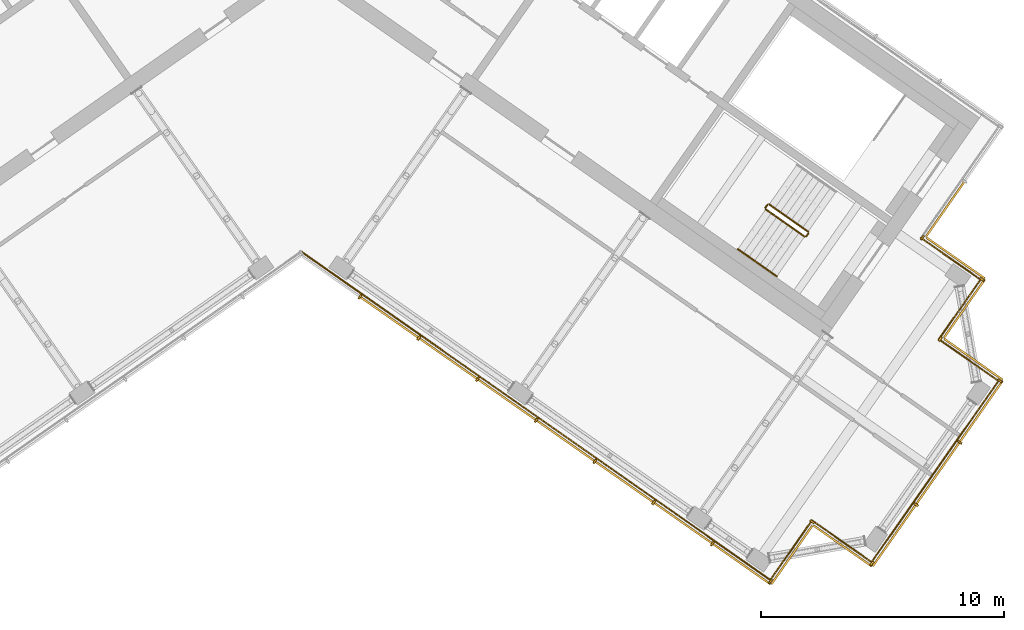
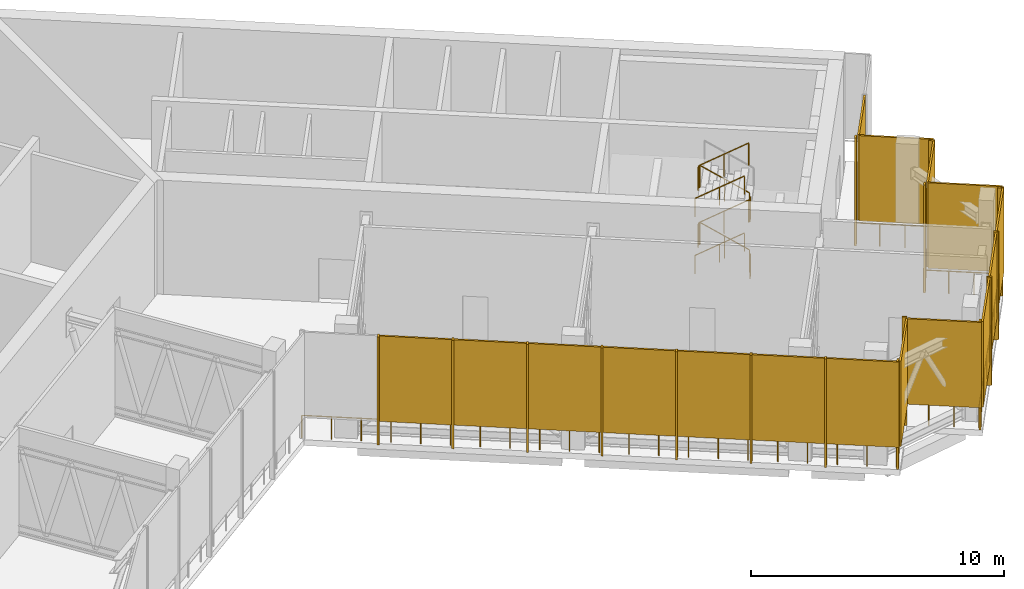
# One storey, part 14 of 16: 32 shading devices, 17 railings.
"""IFC4 building model written with IfcOpenShell, lengths in metres."""

import ifcopenshell
import ifcopenshell.guid

model = None  # the IFC model being written
_history = None  # IfcOwnerHistory: only IFC2X3 demands one
_inside = {}  # id of a spatial element -> (the spatial element, [elements in it])
_under = {}  # id of a project, library or spatial element -> (it, [spatial elements below it])
_declared = {}  # id of a project -> (the project, [libraries it declares])
_typed = {}  # id of a type object -> (the type object, [elements of that type])
_made_of = {}  # id of a material, layer set ... -> (it, [elements and type objects made of it])


def new_model(schema):
    """Start an empty IFC model of exactly this schema.

    Asked for "IFC4X3", IfcOpenShell would pick the latest addendum, in which some entities
    have other attributes; the version numbers below select the first issue.
    IFC2X3 requires an IfcOwnerHistory on every rooted entity: one is made here for all.
    """
    global model, _history
    if schema == "IFC4X3":
        model = ifcopenshell.file(schema_version=(4, 3, 0, 0))
    else:
        model = ifcopenshell.file(schema=schema)
    _inside.clear()
    _under.clear()
    _declared.clear()
    _typed.clear()
    _made_of.clear()
    _history = None
    if model.schema == "IFC2X3":
        org = make("IfcOrganization", Name="unknown")
        user = make(
            "IfcPersonAndOrganization",
            ThePerson=make("IfcPerson", FamilyName="unknown"),
            TheOrganization=org,
        )
        app = make(
            "IfcApplication",
            ApplicationDeveloper=org,
            Version="unknown",
            ApplicationFullName="unknown",
            ApplicationIdentifier="unknown",
        )
        _history = make(
            "IfcOwnerHistory",
            OwningUser=user,
            OwningApplication=app,
            ChangeAction="ADDED",
            CreationDate=0,
        )
    return model


def make(cls, **values):
    """One entity of the class cls with the attributes given. An attribute that is None is left unset."""
    return model.create_entity(
        cls, **{name: value for name, value in values.items() if value is not None}
    )


def rooted(cls, **values):
    """An entity with a GlobalId (a new one), such as an element, a storey or a relation."""
    return make(cls, GlobalId=ifcopenshell.guid.new(), OwnerHistory=_history, **values)


def si_unit(unit_type, name, prefix=None):
    """IfcSIUnit, for example si_unit("LENGTHUNIT", "METRE", prefix="MILLI")."""
    return make("IfcSIUnit", UnitType=unit_type, Prefix=prefix, Name=name)


def assignment(units):
    """IfcUnitAssignment: the units of a project."""
    return None if units is None else make("IfcUnitAssignment", Units=units)


def point(xyz):
    """IfcCartesianPoint."""
    return None if xyz is None else make("IfcCartesianPoint", Coordinates=xyz)


def direction(xyz):
    """IfcDirection."""
    return None if xyz is None else make("IfcDirection", DirectionRatios=xyz)


def frame(location, z_axis=None, x_axis=None):
    """IfcAxis2Placement3D, a coordinate frame: its origin and axes. An axis left out is left unset."""
    return make(
        "IfcAxis2Placement3D",
        Location=point(location),
        Axis=direction(z_axis),
        RefDirection=direction(x_axis),
    )


def frame_2d(location, x_axis=None):
    """IfcAxis2Placement2D, a coordinate frame in the plane: its origin and x axis."""
    return make(
        "IfcAxis2Placement2D", Location=point(location), RefDirection=direction(x_axis)
    )


def origin():
    """The frame at (0, 0, 0) with its axes left unset."""
    return frame((0.0, 0.0, 0.0))


def origin_2d():
    """The frame at (0, 0) in the plane with its x axis left unset."""
    return frame_2d((0.0, 0.0))


def place(relative_to, where):
    """IfcLocalPlacement: puts the frame where relative to a parent placement (None: the world)."""
    return make(
        "IfcLocalPlacement", PlacementRelTo=relative_to, RelativePlacement=where
    )


def context(
    kind, dimensions, precision=None, world=None, true_north=None, identifier=None
):
    """IfcGeometricRepresentationContext, for example the 3D "Model" context."""
    return make(
        "IfcGeometricRepresentationContext",
        ContextIdentifier=identifier,
        ContextType=kind,
        CoordinateSpaceDimension=dimensions,
        Precision=precision,
        WorldCoordinateSystem=world,
        TrueNorth=true_north,
    )


def subcontext(parent, identifier, kind, view, scale=None):
    """IfcGeometricRepresentationSubContext, for example "Body" below "Model"."""
    return make(
        "IfcGeometricRepresentationSubContext",
        ContextIdentifier=identifier,
        ContextType=kind,
        ParentContext=parent,
        TargetScale=scale,
        TargetView=view,
    )


def project(units=None, contexts=None):
    """IfcProject with its units and contexts."""
    return rooted(
        "IfcProject",
        Name="project",
        RepresentationContexts=contexts,
        UnitsInContext=assignment(units),
    )


def spatial(cls, under=None, at=None, **own):
    """A site, building, storey or space (cls), placed at a placement, below another one or the project."""
    s = rooted(cls, ObjectPlacement=at, **own)
    if under is not None:
        _under.setdefault(under.id(), (under, []))[1].append(s)
    return s


def profile(cls, at=None, kind="AREA", **sizes):
    """A parametric profile (cls). Its sizes go by their IFC names, for example OverallWidth=200.0."""
    return make(cls, ProfileType=kind, Position=at, **sizes)


def rectangle(**sizes):
    """IfcRectangleProfileDef."""
    return profile("IfcRectangleProfileDef", **sizes)


def circle(**sizes):
    """IfcCircleProfileDef."""
    return profile("IfcCircleProfileDef", **sizes)


def extrude(swept, where, along, depth):
    """IfcExtrudedAreaSolid: the profile swept, set in the frame where, extruded along a direction by depth."""
    return make(
        "IfcExtrudedAreaSolid",
        SweptArea=swept,
        Position=where,
        ExtrudedDirection=direction(along),
        Depth=depth,
    )


def shape(context_of_items, identifier, shape_type, items):
    """IfcShapeRepresentation: the items that make up one representation, for example the "Body"."""
    return make(
        "IfcShapeRepresentation",
        ContextOfItems=context_of_items,
        RepresentationIdentifier=identifier,
        RepresentationType=shape_type,
        Items=items,
    )


def material(Name=None, Category=None):
    """IfcMaterial."""
    return make("IfcMaterial", Name=Name, Category=Category)


def layer(
    of_material, thickness, ventilated=None, Name=None, Category=None, Priority=None
):
    """IfcMaterialLayer: one layer of a wall or slab, of a material (None: an air gap)."""
    return make(
        "IfcMaterialLayer",
        Material=of_material,
        LayerThickness=thickness,
        IsVentilated=ventilated,
        Name=Name,
        Category=Category,
        Priority=Priority,
    )


def layer_set(layers, Name=None):
    """IfcMaterialLayerSet."""
    return make("IfcMaterialLayerSet", MaterialLayers=layers, LayerSetName=Name)


def made_of(thing, what):
    """Note that an element or type object is made of a material, layer set ...; save() writes the relation."""
    if what is not None:
        _made_of.setdefault(what.id(), (what, []))[1].append(thing)
    return thing


def type_object(cls, material=None, **own):
    """A type object (cls), such as IfcWallType, which elements share."""
    return made_of(rooted(cls, **own), material)


def element(
    cls,
    number,
    at=None,
    inside=None,
    cuts=None,
    type_object=None,
    material=None,
    context=None,
    identifier="Body",
    shape_type=None,
    held_by="IfcProductDefinitionShape",
    body=None,
    shapes=None,
    **own,
):
    """One element of the class cls, such as IfcWall. Its Tag is "e" and its number.

    at: its placement. inside: the storey or other place that contains it. cuts: it is an
    opening in that element (IfcRelVoidsElement). A single representation is given by context,
    identifier, shape_type and body (its items); several are given by shapes. held_by: the class
    of the entity that holds the representations. save() writes the other relations.
    """
    e = rooted(cls, Tag="e%d" % number, ObjectPlacement=at, **own)
    if body is not None:
        shapes = [shape(context, identifier, shape_type, body)]
    if shapes is not None:
        e.Representation = make(held_by, Representations=shapes)
    if inside is not None:
        _inside.setdefault(inside.id(), (inside, []))[1].append(e)
    if cuts is not None:
        rooted(
            "IfcRelVoidsElement", RelatingBuildingElement=cuts, RelatedOpeningElement=e
        )
    if type_object is not None:
        _typed.setdefault(type_object.id(), (type_object, []))[1].append(e)
    return made_of(e, material)


def aggregate(whole, parts):
    """IfcRelAggregates: a whole, such as a stair, and the parts it consists of."""
    return rooted("IfcRelAggregates", RelatingObject=whole, RelatedObjects=parts)


def save(model, path):
    """Write the relations noted so far, then the file.

    IfcRelAggregates (storeys below a building ...), IfcRelContainedInSpatialStructure (elements
    in a storey), IfcRelDefinesByType, IfcRelAssociatesMaterial and IfcRelDeclares: one each for
    every whole, place, type object, material and project.
    """
    for whole, parts in _under.values():
        aggregate(whole, parts)
    for where, things in _inside.values():
        rooted(
            "IfcRelContainedInSpatialStructure",
            RelatedElements=things,
            RelatingStructure=where,
        )
    for kind, things in _typed.values():
        rooted("IfcRelDefinesByType", RelatedObjects=things, RelatingType=kind)
    for what, things in _made_of.values():
        rooted("IfcRelAssociatesMaterial", RelatedObjects=things, RelatingMaterial=what)
    for by, libraries in _declared.values():
        rooted("IfcRelDeclares", RelatingContext=by, RelatedDefinitions=libraries)
    model.write(path)


model = new_model("IFC4")

# Units and contexts
model_context = context("Model", 3, precision=1e-05, world=origin(), true_north=direction((0.0, 1.0)))
body_context = subcontext(model_context, "Body", "Model", "MODEL_VIEW")
ifc_project = project(units=[si_unit("LENGTHUNIT", "METRE"), si_unit("AREAUNIT", "SQUARE_METRE"), si_unit("VOLUMEUNIT", "CUBIC_METRE"), si_unit("PLANEANGLEUNIT", "RADIAN"), si_unit("MASSUNIT", "GRAM", prefix="KILO")], contexts=[model_context])

# Site, building, storey
site_placement = place(None, origin())
site = spatial("IfcSite", under=ifc_project, at=site_placement, CompositionType="ELEMENT")
building_placement = place(site_placement, origin())
building = spatial("IfcBuilding", under=site, at=building_placement, Name="Tel Ilan Convention Tower", CompositionType="ELEMENT")
storey_placement = place(building_placement, frame((0.0, 0.0, 313.300048828125)))
storey = spatial("IfcBuildingStorey", under=building, at=storey_placement, Name="L74", CompositionType="ELEMENT", Elevation=313.300048828125)

# Shading devices
ifc_material_1 = material(Name="Perforated aluminium sheet, bronze anodised", Category="aluminium")
ifc_layer_1 = layer(ifc_material_1, 0.080078125)
ifc_layer_set_1 = layer_set([ifc_layer_1], Name="PERFORATED SCREEN 80")
shading_device_type_1 = type_object("IfcShadingDeviceType", Name="PERFORATED SCREEN 80", PredefinedType="USERDEFINED", material=ifc_layer_set_1)
for number, where, z_axis, x_axis, name in (
    (1, (3.632080078125, -15.361328125, 1.099853515625), (0.0, 0.0, 1.0), (0.819152044289, -0.573576436351, 0.0), "SCREEN"),
    (2, (6.053466796875, -17.056884765625, 1.099853515625), (0.0, 0.0, 1.0), (0.819152044289, -0.573576436351, 0.0), "SCREEN"),
    (3, (8.474853515625, -18.752197265625, 1.099853515625), (0.0, 0.0, 1.0), (0.819152044289, -0.573576436351, 0.0), "SCREEN"),
    (4, (10.896240234375, -20.44775390625, 1.099853515625), (0.0, 0.0, 1.0), (0.819152044289, -0.573576436351, 0.0), "SCREEN"),
    (5, (13.317626953125, -22.143310546875, 1.099853515625), (0.0, 0.0, 1.0), (0.819152044289, -0.573576436351, 0.0), "SCREEN"),
    (6, (15.739013671875, -23.8388671875, 1.099853515625), (0.0, 0.0, 1.0), (0.819152044289, -0.573576436351, 0.0), "SCREEN"),
    (7, (18.160400390625, -25.5341796875, 1.099853515625), (0.0, 0.0, 1.0), (0.819152044289, -0.573576436351, 0.0), "SCREEN"),
):
    element("IfcShadingDevice", number, at=place(storey_placement, frame(where, z_axis=z_axis, x_axis=x_axis)), inside=storey, type_object=shading_device_type_1, Name=name, ObjectType="SCREEN", PredefinedType="USERDEFINED", context=body_context, shape_type="SweptSolid", body=[
        extrude(rectangle(XDim=2.89599609375, YDim=0.080078125, at=origin_2d()), origin(), (0.0, 0.0, 1.0), 4.1201171875),
    ])
for number, where, z_axis, x_axis, name in (
    (8, (20.2314453125, -25.1533203125, 1.099853515625), (0.0, 0.0, 1.0), (0.573576436351, 0.819152044289, 0.0), "SCREEN"),
    (9, (22.320556640625, -24.784912109375, 1.099853515625), (0.0, 0.0, 1.0), (0.819152044289, -0.573576436351, 0.0), "SCREEN"),
):
    element("IfcShadingDevice", number, at=place(storey_placement, frame(where, z_axis=z_axis, x_axis=x_axis)), inside=storey, type_object=shading_device_type_1, Name=name, ObjectType="SCREEN", PredefinedType="USERDEFINED", context=body_context, shape_type="SweptSolid", body=[
        extrude(rectangle(XDim=2.93994140625, YDim=0.080078125, at=origin_2d()), origin(), (0.0, 0.0, 1.0), 4.1201171875),
    ])
for number, where, z_axis, x_axis, name in (
    (10, (24.447998046875, -24.36181640625, 1.099853515625), (0.0, 0.0, 1.0), (0.573576436351, 0.819152044289, 0.0), "SCREEN"),
    (11, (26.2451171875, -21.795166015625, 1.099853515625), (0.0, 0.0, 1.0), (0.573576436351, 0.819152044289, 0.0), "SCREEN"),
    (12, (28.04248046875, -19.228515625, 1.099853515625), (0.0, 0.0, 1.0), (0.573576436351, 0.819152044289, 0.0), "SCREEN"),
):
    element("IfcShadingDevice", number, at=place(storey_placement, frame(where, z_axis=z_axis, x_axis=x_axis)), inside=storey, type_object=shading_device_type_1, Name=name, ObjectType="SCREEN", PredefinedType="USERDEFINED", context=body_context, shape_type="SweptSolid", body=[
        extrude(rectangle(XDim=3.0732421875, YDim=0.080078125, at=origin_2d()), origin(), (0.0, 0.0, 1.0), 4.1201171875),
    ])
for number, where, z_axis, x_axis, name in (
    (13, (27.712158203125, -17.0849609375, 1.099853515625), (0.0, 0.0, 1.0), (-0.819152044289, 0.573576436351, 0.0), "SCREEN"),
    (14, (27.343994140625, -14.995849609375, 1.099853515625), (0.0, 0.0, 1.0), (0.573576436351, 0.819152044289, 0.0), "SCREEN"),
    (15, (26.9755859375, -12.90673828125, 1.099853515625), (0.0, 0.0, 1.0), (-0.819152044289, 0.573576436351, 0.0), "SCREEN"),
):
    element("IfcShadingDevice", number, at=place(storey_placement, frame(where, z_axis=z_axis, x_axis=x_axis)), inside=storey, type_object=shading_device_type_1, Name=name, ObjectType="SCREEN", PredefinedType="USERDEFINED", context=body_context, shape_type="SweptSolid", body=[
        extrude(rectangle(XDim=2.93994140625, YDim=0.080078125, at=origin_2d()), origin(), (0.0, 0.0, 1.0), 4.1201171875),
    ])
shading_device_placement = place(storey_placement, frame((26.5498046875, -10.8994140625, 1.099853515625), z_axis=(0.0, 0.0, 1.0), x_axis=(0.573576436351, 0.819152044289, 0.0)))
element("IfcShadingDevice", 16, at=shading_device_placement, inside=storey, type_object=shading_device_type_1, Name="SCREEN", ObjectType="SCREEN", PredefinedType="USERDEFINED", context=body_context, shape_type="SweptSolid", body=[
    extrude(rectangle(XDim=2.739990234375, YDim=0.080078125, at=origin_2d()), origin(), (0.0, 0.0, 1.0), 4.1201171875),
])

# Railings
ifc_material_2 = material(Name="Stainless steel S316", Category="steel")
railing_type_1 = type_object("IfcRailingType", Name="REFUGE EDGE GUARD 1100", PredefinedType="GUARDRAIL", material=ifc_material_2)
railing_1_placement = place(storey_placement, frame((25.5517578125, -12.080810546875, 0.0)))
element("IfcRailing", 17, at=railing_1_placement, inside=storey, type_object=railing_type_1, Name="Refuge edge guard 56.R11", PredefinedType="GUARDRAIL", context=body_context, shape_type="SweptSolid", body=[
    extrude(circle(Radius=0.02490234375, at=origin_2d()), frame((0.0, 0.0, 1.0751953125), z_axis=(0.819163097304, -0.573560650686, 0.0), x_axis=(0.573560650686, 0.819163097304, 0.0)), (0.0, 0.0, 1.0), 3.0),
    extrude(circle(Radius=0.02490234375, at=origin_2d()), origin(), (0.0, 0.0, 1.0), 1.050048828125),
    extrude(circle(Radius=0.02490234375, at=origin_2d()), frame((0.819091796875, -0.573486328125, 0.0)), (0.0, 0.0, 1.0), 1.050048828125),
    extrude(circle(Radius=0.02490234375, at=origin_2d()), frame((1.638427734375, -1.147216796875, 0.0)), (0.0, 0.0, 1.0), 1.050048828125),
    extrude(circle(Radius=0.02490234375, at=origin_2d()), frame((2.45751953125, -1.720703125, 0.0)), (0.0, 0.0, 1.0), 1.050048828125),
])
railing_2_placement = place(storey_placement, frame((28.00927734375, -13.801513671875, 0.0)))
element("IfcRailing", 18, at=railing_2_placement, inside=storey, type_object=railing_type_1, Name="Refuge edge guard 56.R12", PredefinedType="GUARDRAIL", context=body_context, shape_type="SweptSolid", body=[
    extrude(circle(Radius=0.02490234375, at=origin_2d()), frame((0.0, 0.0, 1.0751953125), z_axis=(-0.573598887793, -0.819136323161, 0.0), x_axis=(0.819136323161, -0.573598887793, 0.0)), (0.0, 0.0, 1.0), 2.999755859375),
    extrude(circle(Radius=0.02490234375, at=origin_2d()), origin(), (0.0, 0.0, 1.0), 1.050048828125),
    extrude(circle(Radius=0.02490234375, at=origin_2d()), frame((-0.573486328125, -0.819091796875, 0.0)), (0.0, 0.0, 1.0), 1.050048828125),
    extrude(circle(Radius=0.02490234375, at=origin_2d()), frame((-1.147216796875, -1.63818359375, 0.0)), (0.0, 0.0, 1.0), 1.050048828125),
    extrude(circle(Radius=0.02490234375, at=origin_2d()), frame((-1.720703125, -2.457275390625, 0.0)), (0.0, 0.0, 1.0), 1.050048828125),
])
railing_3_placement = place(storey_placement, frame((26.28857421875, -16.2587890625, 0.0)))
element("IfcRailing", 19, at=railing_3_placement, inside=storey, type_object=railing_type_1, Name="Refuge edge guard 56.R13", PredefinedType="GUARDRAIL", context=body_context, shape_type="SweptSolid", body=[
    extrude(circle(Radius=0.02490234375, at=origin_2d()), frame((0.0, 0.0, 1.0751953125), z_axis=(0.819163097304, -0.573560650686, 0.0), x_axis=(0.573560650686, 0.819163097304, 0.0)), (0.0, 0.0, 1.0), 3.0),
    extrude(circle(Radius=0.02490234375, at=origin_2d()), origin(), (0.0, 0.0, 1.0), 1.050048828125),
    extrude(circle(Radius=0.02490234375, at=origin_2d()), frame((0.819091796875, -0.573486328125, 0.0)), (0.0, 0.0, 1.0), 1.050048828125),
    extrude(circle(Radius=0.02490234375, at=origin_2d()), frame((1.638427734375, -1.147216796875, 0.0)), (0.0, 0.0, 1.0), 1.050048828125),
    extrude(circle(Radius=0.02490234375, at=origin_2d()), frame((2.45751953125, -1.720703125, 0.0)), (0.0, 0.0, 1.0), 1.050048828125),
])
railing_4_placement = place(storey_placement, frame((28.74609375, -17.9794921875, 0.0)))
element("IfcRailing", 20, at=railing_4_placement, inside=storey, type_object=railing_type_1, Name="Refuge edge guard 56.R14", PredefinedType="GUARDRAIL", context=body_context, shape_type="SweptSolid", body=[
    extrude(circle(Radius=0.02490234375, at=origin_2d()), frame((0.0, 0.0, 1.0751953125), z_axis=(-0.573588099925, -0.819143877243, 0.0), x_axis=(0.819143877243, -0.573588099925, 0.0)), (0.0, 0.0, 1.0), 9.1201171875),
    extrude(circle(Radius=0.02490234375, at=origin_2d()), origin(), (0.0, 0.0, 1.0), 1.050048828125),
    extrude(circle(Radius=0.02490234375, at=origin_2d()), frame((-0.65380859375, -0.933837890625, 0.0)), (0.0, 0.0, 1.0), 1.050048828125),
    extrude(circle(Radius=0.02490234375, at=origin_2d()), frame((-1.307861328125, -1.86767578125, 0.0)), (0.0, 0.0, 1.0), 1.050048828125),
    extrude(circle(Radius=0.02490234375, at=origin_2d()), frame((-1.961669921875, -2.801513671875, 0.0)), (0.0, 0.0, 1.0), 1.050048828125),
    extrude(circle(Radius=0.02490234375, at=origin_2d()), frame((-2.61572265625, -3.7353515625, 0.0)), (0.0, 0.0, 1.0), 1.050048828125),
    extrude(circle(Radius=0.02490234375, at=origin_2d()), frame((-3.26953125, -4.669189453125, 0.0)), (0.0, 0.0, 1.0), 1.050048828125),
    extrude(circle(Radius=0.02490234375, at=origin_2d()), frame((-3.92333984375, -5.60302734375, 0.0)), (0.0, 0.0, 1.0), 1.050048828125),
    extrude(circle(Radius=0.02490234375, at=origin_2d()), frame((-4.577392578125, -6.536865234375, 0.0)), (0.0, 0.0, 1.0), 1.050048828125),
    extrude(circle(Radius=0.02490234375, at=origin_2d()), frame((-5.231201171875, -7.470703125, 0.0)), (0.0, 0.0, 1.0), 1.050048828125),
])
railing_5_placement = place(storey_placement, frame((23.514892578125, -25.4501953125, 0.0)))
element("IfcRailing", 21, at=railing_5_placement, inside=storey, type_object=railing_type_1, Name="Refuge edge guard 56.R15", PredefinedType="GUARDRAIL", context=body_context, shape_type="SweptSolid", body=[
    extrude(circle(Radius=0.02490234375, at=origin_2d()), frame((0.0, 0.0, 1.0751953125), z_axis=(-0.819136323161, 0.573598887793, 0.0), x_axis=(-0.573598887793, -0.819136323161, 0.0)), (0.0, 0.0, 1.0), 2.999755859375),
    extrude(circle(Radius=0.02490234375, at=origin_2d()), origin(), (0.0, 0.0, 1.0), 1.050048828125),
    extrude(circle(Radius=0.02490234375, at=origin_2d()), frame((-0.819091796875, 0.573486328125, 0.0)), (0.0, 0.0, 1.0), 1.050048828125),
    extrude(circle(Radius=0.02490234375, at=origin_2d()), frame((-1.63818359375, 1.147216796875, 0.0)), (0.0, 0.0, 1.0), 1.050048828125),
    extrude(circle(Radius=0.02490234375, at=origin_2d()), frame((-2.457275390625, 1.720703125, 0.0)), (0.0, 0.0, 1.0), 1.050048828125),
])
railing_6_placement = place(storey_placement, frame((21.0576171875, -23.7294921875, 0.0)))
element("IfcRailing", 22, at=railing_6_placement, inside=storey, type_object=railing_type_1, Name="Refuge edge guard 56.R16", PredefinedType="GUARDRAIL", context=body_context, shape_type="SweptSolid", body=[
    extrude(circle(Radius=0.02490234375, at=origin_2d()), frame((0.0, 0.0, 1.0751953125), z_axis=(-0.573560650686, -0.819163097304, 0.0), x_axis=(0.819163097304, -0.573560650686, 0.0)), (0.0, 0.0, 1.0), 3.0),
    extrude(circle(Radius=0.02490234375, at=origin_2d()), origin(), (0.0, 0.0, 1.0), 1.050048828125),
    extrude(circle(Radius=0.02490234375, at=origin_2d()), frame((-0.573486328125, -0.819091796875, 0.0)), (0.0, 0.0, 1.0), 1.050048828125),
    extrude(circle(Radius=0.02490234375, at=origin_2d()), frame((-1.147216796875, -1.638427734375, 0.0)), (0.0, 0.0, 1.0), 1.050048828125),
    extrude(circle(Radius=0.02490234375, at=origin_2d()), frame((-1.720703125, -2.45751953125, 0.0)), (0.0, 0.0, 1.0), 1.050048828125),
])
railing_7_placement = place(storey_placement, frame((19.3369140625, -26.18701171875, 0.0)))
element("IfcRailing", 23, at=railing_7_placement, inside=storey, type_object=railing_type_1, Name="Refuge edge guard 56.R17", PredefinedType="GUARDRAIL", context=body_context, shape_type="SweptSolid", body=[
    extrude(circle(Radius=0.02490234375, at=origin_2d()), frame((0.0, 0.0, 1.0751953125), z_axis=(-0.819153200103, 0.573574785674, 0.0), x_axis=(-0.573574785674, -0.819153200103, 0.0)), (0.0, 0.0, 1.0), 23.60595703125),
    extrude(circle(Radius=0.02490234375, at=origin_2d()), origin(), (0.0, 0.0, 1.0), 1.050048828125),
    extrude(circle(Radius=0.02490234375, at=origin_2d()), frame((-0.966796875, 0.677001953125, 0.0)), (0.0, 0.0, 1.0), 1.050048828125),
    extrude(circle(Radius=0.02490234375, at=origin_2d()), frame((-1.93359375, 1.35400390625, 0.0)), (0.0, 0.0, 1.0), 1.050048828125),
    extrude(circle(Radius=0.02490234375, at=origin_2d()), frame((-2.900634765625, 2.031005859375, 0.0)), (0.0, 0.0, 1.0), 1.050048828125),
    extrude(circle(Radius=0.02490234375, at=origin_2d()), frame((-3.867431640625, 2.7080078125, 0.0)), (0.0, 0.0, 1.0), 1.050048828125),
    extrude(circle(Radius=0.02490234375, at=origin_2d()), frame((-4.834228515625, 3.385009765625, 0.0)), (0.0, 0.0, 1.0), 1.050048828125),
    extrude(circle(Radius=0.02490234375, at=origin_2d()), frame((-5.801025390625, 4.06201171875, 0.0)), (0.0, 0.0, 1.0), 1.050048828125),
    extrude(circle(Radius=0.02490234375, at=origin_2d()), frame((-6.767822265625, 4.739013671875, 0.0)), (0.0, 0.0, 1.0), 1.050048828125),
    extrude(circle(Radius=0.02490234375, at=origin_2d()), frame((-7.73486328125, 5.416015625, 0.0)), (0.0, 0.0, 1.0), 1.050048828125),
    extrude(circle(Radius=0.02490234375, at=origin_2d()), frame((-8.70166015625, 6.093017578125, 0.0)), (0.0, 0.0, 1.0), 1.050048828125),
    extrude(circle(Radius=0.02490234375, at=origin_2d()), frame((-9.66845703125, 6.77001953125, 0.0)), (0.0, 0.0, 1.0), 1.050048828125),
    extrude(circle(Radius=0.02490234375, at=origin_2d()), frame((-10.63525390625, 7.44677734375, 0.0)), (0.0, 0.0, 1.0), 1.050048828125),
    extrude(circle(Radius=0.02490234375, at=origin_2d()), frame((-11.60205078125, 8.123779296875, 0.0)), (0.0, 0.0, 1.0), 1.050048828125),
    extrude(circle(Radius=0.02490234375, at=origin_2d()), frame((-12.569091796875, 8.80078125, 0.0)), (0.0, 0.0, 1.0), 1.050048828125),
    extrude(circle(Radius=0.02490234375, at=origin_2d()), frame((-13.535888671875, 9.477783203125, 0.0)), (0.0, 0.0, 1.0), 1.050048828125),
    extrude(circle(Radius=0.02490234375, at=origin_2d()), frame((-14.502685546875, 10.15478515625, 0.0)), (0.0, 0.0, 1.0), 1.050048828125),
    extrude(circle(Radius=0.02490234375, at=origin_2d()), frame((-15.469482421875, 10.831787109375, 0.0)), (0.0, 0.0, 1.0), 1.050048828125),
    extrude(circle(Radius=0.02490234375, at=origin_2d()), frame((-16.436279296875, 11.5087890625, 0.0)), (0.0, 0.0, 1.0), 1.050048828125),
    extrude(circle(Radius=0.02490234375, at=origin_2d()), frame((-17.4033203125, 12.185791015625, 0.0)), (0.0, 0.0, 1.0), 1.050048828125),
    extrude(circle(Radius=0.02490234375, at=origin_2d()), frame((-18.3701171875, 12.86279296875, 0.0)), (0.0, 0.0, 1.0), 1.050048828125),
    extrude(circle(Radius=0.02490234375, at=origin_2d()), frame((-19.3369140625, 13.539794921875, 0.0)), (0.0, 0.0, 1.0), 1.050048828125),
])

# Shading devices
ifc_material_3 = material(Name="Perforated aluminium sheet, bronze anodised", Category="aluminium")
ifc_layer_2 = layer(ifc_material_3, 0.080078125)
ifc_layer_set_2 = layer_set([ifc_layer_2], Name="SCREEN CORNER CLOSURE 80x200")
shading_device_type_2 = type_object("IfcShadingDeviceType", Name="SCREEN CORNER CLOSURE 80x200", PredefinedType="USERDEFINED", material=ifc_layer_set_2)
for number, where, z_axis, x_axis, name in (
    (24, (19.3466796875, -26.24267578125, 0.0), (0.0, 0.0, 1.0), (0.819152044289, -0.573576436351, 0.0), "SCREEN"),
    (25, (21.0673828125, -23.78515625, 0.0), (0.0, 0.0, 1.0), (0.573576436351, 0.819152044289, 0.0), "SCREEN"),
    (26, (23.52490234375, -25.505859375, 0.0), (0.0, 0.0, 1.0), (0.819152044289, -0.573576436351, 0.0), "SCREEN"),
    (27, (28.8017578125, -17.9697265625, 0.0), (0.0, 0.0, 1.0), (0.573576436351, 0.819152044289, 0.0), "SCREEN"),
    (28, (26.34423828125, -16.2490234375, 0.0), (0.0, 0.0, 1.0), (-0.819152044289, 0.573576436351, 0.0), "SCREEN"),
    (29, (28.06494140625, -13.79150390625, 0.0), (0.0, 0.0, 1.0), (0.573576436351, 0.819152044289, 0.0), "SCREEN"),
    (30, (25.607421875, -12.07080078125, 0.0), (0.0, 0.0, 1.0), (-0.819152044289, 0.573576436351, 0.0), "SCREEN"),
):
    element("IfcShadingDevice", number, at=place(storey_placement, frame(where, z_axis=z_axis, x_axis=x_axis)), inside=storey, type_object=shading_device_type_2, Name=name, ObjectType="SCREEN", PredefinedType="USERDEFINED", context=body_context, shape_type="SweptSolid", body=[
        extrude(rectangle(XDim=0.080078125, YDim=0.199951171875, at=origin_2d()), origin(), (0.0, 0.0, 1.0), 5.219970703125),
    ])
ifc_material_4 = material(Name="Aluminium, bronze anodised", Category="aluminium")
ifc_layer_3 = layer(ifc_material_4, 0.080078125)
ifc_layer_set_3 = layer_set([ifc_layer_3], Name="SCREEN POST 80x200")
shading_device_type_3 = type_object("IfcShadingDeviceType", Name="SCREEN POST 80x200", PredefinedType="USERDEFINED", material=ifc_layer_set_3)
for number, where, z_axis, x_axis, name in (
    (31, (2.42138671875, -14.513671875, 0.0), (0.0, 0.0, 1.0), (0.819152044289, -0.573576436351, 0.0), "Screen post"),
    (32, (4.8427734375, -16.208984375, 0.0), (0.0, 0.0, 1.0), (0.819152044289, -0.573576436351, 0.0), "Screen post"),
    (33, (7.26416015625, -17.904541015625, 0.0), (0.0, 0.0, 1.0), (0.819152044289, -0.573576436351, 0.0), "Screen post"),
    (34, (9.685546875, -19.60009765625, 0.0), (0.0, 0.0, 1.0), (0.819152044289, -0.573576436351, 0.0), "Screen post"),
    (35, (12.10693359375, -21.29541015625, 0.0), (0.0, 0.0, 1.0), (0.819152044289, -0.573576436351, 0.0), "Screen post"),
    (36, (14.5283203125, -22.990966796875, 0.0), (0.0, 0.0, 1.0), (0.819152044289, -0.573576436351, 0.0), "Screen post"),
    (37, (16.94970703125, -24.6865234375, 0.0), (0.0, 0.0, 1.0), (0.819152044289, -0.573576436351, 0.0), "Screen post"),
    (38, (25.346435546875, -23.07861328125, 0.0), (0.0, 0.0, 1.0), (0.573576436351, 0.819152044289, 0.0), "Screen post"),
    (39, (27.143798828125, -20.511962890625, 0.0), (0.0, 0.0, 1.0), (0.573576436351, 0.819152044289, 0.0), "Screen post"),
):
    element("IfcShadingDevice", number, at=place(storey_placement, frame(where, z_axis=z_axis, x_axis=x_axis)), inside=storey, type_object=shading_device_type_3, Name=name, ObjectType="SCREEN POST", PredefinedType="USERDEFINED", context=body_context, shape_type="SweptSolid", body=[
        extrude(rectangle(XDim=0.080078125, YDim=0.199951171875, at=origin_2d()), origin(), (0.0, 0.0, 1.0), 5.219970703125),
    ])

# Railings
ifc_material_5 = material(Name="Stainless Steel Grade 316", Category="steel")
railing_type_2 = type_object("IfcRailingType", Name="Stainless Steel Stair Guard 1100 mm", PredefinedType="GUARDRAIL", material=ifc_material_5)
railing_8_placement = place(storey_placement, frame((20.89697265625, -11.824462890625, 0.171875)))
element("IfcRailing", 40, at=railing_8_placement, inside=storey, type_object=railing_type_2, Name="L74 S4 stair guard 1", PredefinedType="GUARDRAIL", context=body_context, shape_type="SweptSolid", body=[
    extrude(circle(Radius=0.02392578125, at=origin_2d()), frame((0.0, 0.0, 1.076171875), z_axis=(-0.698094737943, 0.488857400886, 0.523146421621), x_axis=(-0.573612813533, -0.819126571508, 0.0)), (0.0, 0.0, 1.0), 2.2998046875),
    extrude(circle(Radius=0.02099609375, at=origin_2d()), origin(), (0.0, 0.0, 1.0), 1.052001953125),
    extrude(circle(Radius=0.02099609375, at=origin_2d()), frame((-0.802734375, 0.56201171875, 0.6015625)), (0.0, 0.0, 1.0), 1.052001953125),
    extrude(circle(Radius=0.02099609375, at=origin_2d()), frame((-1.60546875, 1.124267578125, 1.203125)), (0.0, 0.0, 1.0), 1.052001953125),
])
railing_9_placement = place(storey_placement, frame((19.2216796875, -10.71240234375, 1.375)))
element("IfcRailing", 41, at=railing_9_placement, inside=storey, type_object=railing_type_2, Name="L74 S4 stair guard 2", PredefinedType="GUARDRAIL", context=body_context, shape_type="SweptSolid", body=[
    extrude(circle(Radius=0.02392578125, at=origin_2d()), frame((0.0, 0.0, 1.076171875), z_axis=(-0.572588637393, -0.819842821722, 0.0), x_axis=(0.819842821722, -0.572588637393, 0.0)), (0.0, 0.0, 1.0), 0.150146484375),
    extrude(circle(Radius=0.02099609375, at=origin_2d()), origin(), (0.0, 0.0, 1.0), 1.052001953125),
    extrude(circle(Radius=0.02099609375, at=origin_2d()), frame((-0.0859375, -0.123046875, 0.0)), (0.0, 0.0, 1.0), 1.052001953125),
])
railing_10_placement = place(storey_placement, frame((19.14794921875, -10.905029296875, 1.546875)))
element("IfcRailing", 42, at=railing_10_placement, inside=storey, type_object=railing_type_2, Name="L74 S4 stair guard 3", PredefinedType="GUARDRAIL", context=body_context, shape_type="SweptSolid", body=[
    extrude(circle(Radius=0.02392578125, at=origin_2d()), frame((0.0, 0.0, 1.076171875), z_axis=(0.698149155229, -0.488821173762, 0.523107653485), x_axis=(0.573554290663, 0.819167550421, 0.0)), (0.0, 0.0, 1.0), 2.300048828125),
    extrude(circle(Radius=0.02099609375, at=origin_2d()), origin(), (0.0, 0.0, 1.0), 1.052001953125),
    extrude(circle(Radius=0.02099609375, at=origin_2d()), frame((0.802734375, -0.56201171875, 0.6015625)), (0.0, 0.0, 1.0), 1.052001953125),
    extrude(circle(Radius=0.02099609375, at=origin_2d()), frame((1.605712890625, -1.124267578125, 1.203125)), (0.0, 0.0, 1.0), 1.052001953125),
])
railing_11_placement = place(storey_placement, frame((20.9091796875, -11.89404296875, 2.75)))
element("IfcRailing", 43, at=railing_11_placement, inside=storey, type_object=railing_type_2, Name="L74 S4 stair guard 4", PredefinedType="GUARDRAIL", context=body_context, shape_type="SweptSolid", body=[
    extrude(circle(Radius=0.02392578125, at=origin_2d()), frame((0.0, 0.0, 1.076171875), z_axis=(-0.573353020881, -0.819308436089, 0.0), x_axis=(0.819308436089, -0.573353020881, 0.0)), (0.0, 0.0, 1.0), 0.14990234375),
    extrude(circle(Radius=0.02099609375, at=origin_2d()), origin(), (0.0, 0.0, 1.0), 1.052001953125),
    extrude(circle(Radius=0.02099609375, at=origin_2d()), frame((-0.0859375, -0.122802734375, 0.0)), (0.0, 0.0, 1.0), 1.052001953125),
])
railing_12_placement = place(storey_placement, frame((20.89697265625, -11.824462890625, 2.921875)))
element("IfcRailing", 44, at=railing_12_placement, inside=storey, type_object=railing_type_2, Name="L74 S4 stair guard 5", PredefinedType="GUARDRAIL", context=body_context, shape_type="SweptSolid", body=[
    extrude(circle(Radius=0.02392578125, at=origin_2d()), frame((0.0, 0.0, 1.076171875), z_axis=(-0.698094737943, 0.488857400886, 0.523146421621), x_axis=(-0.573612813533, -0.819126571508, 0.0)), (0.0, 0.0, 1.0), 2.2998046875),
    extrude(circle(Radius=0.02099609375, at=origin_2d()), origin(), (0.0, 0.0, 1.0), 1.052001953125),
    extrude(circle(Radius=0.02099609375, at=origin_2d()), frame((-0.802734375, 0.56201171875, 0.6015625)), (0.0, 0.0, 1.0), 1.052001953125),
    extrude(circle(Radius=0.02099609375, at=origin_2d()), frame((-1.60546875, 1.124267578125, 1.203125)), (0.0, 0.0, 1.0), 1.052001953125),
])
railing_13_placement = place(storey_placement, frame((19.2216796875, -10.71240234375, 4.125)))
element("IfcRailing", 45, at=railing_13_placement, inside=storey, type_object=railing_type_2, Name="L74 S4 stair guard 6", PredefinedType="GUARDRAIL", context=body_context, shape_type="SweptSolid", body=[
    extrude(circle(Radius=0.02392578125, at=origin_2d()), frame((0.0, 0.0, 1.076171875), z_axis=(-0.572588637393, -0.819842821722, 0.0), x_axis=(0.819842821722, -0.572588637393, 0.0)), (0.0, 0.0, 1.0), 0.150146484375),
    extrude(circle(Radius=0.02099609375, at=origin_2d()), origin(), (0.0, 0.0, 1.0), 1.052001953125),
    extrude(circle(Radius=0.02099609375, at=origin_2d()), frame((-0.0859375, -0.123046875, 0.0)), (0.0, 0.0, 1.0), 1.052001953125),
])
railing_14_placement = place(storey_placement, frame((19.14794921875, -10.905029296875, 4.296875)))
element("IfcRailing", 46, at=railing_14_placement, inside=storey, type_object=railing_type_2, Name="L74 S4 stair guard 7", PredefinedType="GUARDRAIL", context=body_context, shape_type="SweptSolid", body=[
    extrude(circle(Radius=0.02392578125, at=origin_2d()), frame((0.0, 0.0, 1.076171875), z_axis=(0.698149155229, -0.488821173762, 0.523107653485), x_axis=(0.573554290663, 0.819167550421, 0.0)), (0.0, 0.0, 1.0), 2.300048828125),
    extrude(circle(Radius=0.02099609375, at=origin_2d()), origin(), (0.0, 0.0, 1.0), 1.052001953125),
    extrude(circle(Radius=0.02099609375, at=origin_2d()), frame((0.802734375, -0.56201171875, 0.6015625)), (0.0, 0.0, 1.0), 1.052001953125),
    extrude(circle(Radius=0.02099609375, at=origin_2d()), frame((1.605712890625, -1.124267578125, 1.203125)), (0.0, 0.0, 1.0), 1.052001953125),
])
railing_15_placement = place(storey_placement, frame((20.9091796875, -11.89404296875, 0.0)))
element("IfcRailing", 47, at=railing_15_placement, inside=storey, type_object=railing_type_2, Name="L74 S4 stair guard 8", PredefinedType="GUARDRAIL", context=body_context, shape_type="SweptSolid", body=[
    extrude(circle(Radius=0.02392578125, at=origin_2d()), frame((0.0, 0.0, 1.076171875), z_axis=(-0.573353020881, -0.819308436089, 0.0), x_axis=(0.819308436089, -0.573353020881, 0.0)), (0.0, 0.0, 1.0), 0.14990234375),
    extrude(circle(Radius=0.02099609375, at=origin_2d()), origin(), (0.0, 0.0, 1.0), 1.052001953125),
    extrude(circle(Radius=0.02099609375, at=origin_2d()), frame((-0.0859375, -0.122802734375, 0.0)), (0.0, 0.0, 1.0), 1.052001953125),
])
ifc_material_6 = material(Name="Stainless Steel Grade 316", Category="steel")
railing_type_3 = type_object("IfcRailingType", Name="Stainless Steel Stair Handrail 900 mm", PredefinedType="HANDRAIL", material=ifc_material_6)
for number, where, name in (
    (48, (18.0009765625, -12.543212890625, 1.546875), "L74 S4 stair handrail 2"),
    (49, (18.0009765625, -12.543212890625, 4.296875), "L74 S4 stair handrail 4"),
):
    element("IfcRailing", number, at=place(storey_placement, frame(where)), inside=storey, type_object=railing_type_3, Name=name, PredefinedType="HANDRAIL", context=body_context, shape_type="SweptSolid", body=[
        extrude(circle(Radius=0.02392578125, at=origin_2d()), frame((0.0, 0.0, 0.8759765625), z_axis=(0.698094737943, -0.488857400886, 0.523146421621), x_axis=(0.573612813533, 0.819126571508, 0.0)), (0.0, 0.0, 1.0), 2.2998046875),
        extrude(circle(Radius=0.02099609375, at=origin_2d()), origin(), (0.0, 0.0, 1.0), 0.851806640625),
        extrude(circle(Radius=0.02099609375, at=origin_2d()), frame((0.802734375, -0.56201171875, 0.6015625)), (0.0, 0.0, 1.0), 0.851806640625),
        extrude(circle(Radius=0.02099609375, at=origin_2d()), frame((1.60546875, -1.124267578125, 1.203125)), (0.0, 0.0, 1.0), 0.851806640625),
    ])

save(model, "model.ifc")
